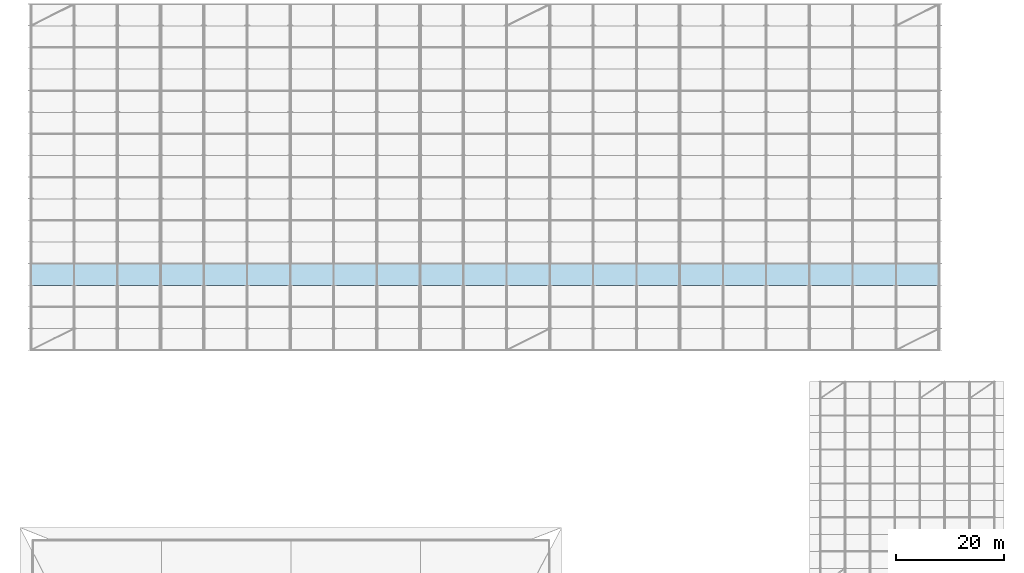
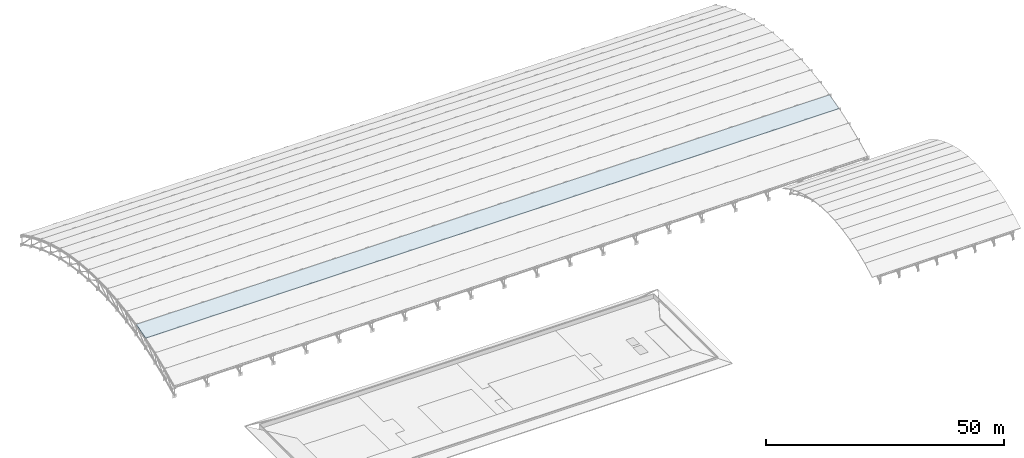
# One storey, part 68 of 98: 1 slab.
"""IFC4 building model written with IfcOpenShell, lengths in metres."""

from ifc_helpers import new_model, si_unit, direction, frame, origin, place, context, subcontext, project, spatial, polyline, outline, extrude, material, layer, layer_set, type_object, element, save


model = new_model("IFC4")

# Units and contexts
model_context = context("Model", 3, precision=1e-05, world=origin(), true_north=direction((0.0, 1.0)))
body_context = subcontext(model_context, "Body", "Model", "MODEL_VIEW")
ifc_project = project(units=[si_unit("LENGTHUNIT", "METRE"), si_unit("AREAUNIT", "SQUARE_METRE"), si_unit("VOLUMEUNIT", "CUBIC_METRE"), si_unit("PLANEANGLEUNIT", "RADIAN"), si_unit("MASSUNIT", "GRAM", prefix="KILO")], contexts=[model_context])

# Site, building, storey
site_placement = place(None, origin())
site = spatial("IfcSite", under=ifc_project, at=site_placement, CompositionType="ELEMENT")
building_placement = place(site_placement, origin())
building = spatial("IfcBuilding", under=site, at=building_placement, Name="Tlacozan Convention Centre", CompositionType="ELEMENT")
storey_placement = place(building_placement, frame((0.0, 0.0, 25.800048828125)))
storey = spatial("IfcBuildingStorey", under=building, at=storey_placement, Name="Roof", CompositionType="ELEMENT", Elevation=25.800048828125)

# Slab
ifc_material = material(Name="Concrete C40/50", Category="concrete")
ifc_layer = layer(ifc_material, 0.179931640625)
ifc_layer_set = layer_set([ifc_layer], Name="Concrete C40/50")
slab_type = type_object("IfcSlabType", Name="Exhibition Arched Roof Deck 180", PredefinedType="ROOF", material=ifc_layer_set)
slab_placement = place(storey_placement, frame((0.0, 74.0, -5.2978515625), z_axis=(0.0, -0.26485005134, 0.964289609145), x_axis=(1.0, 0.0, 0.0)))
element("IfcSlab", 1, at=slab_placement, inside=storey, type_object=slab_type, Name="V2A Arched Roof Facet Slab 4", PredefinedType="ROOF", context=body_context, shape_type="SweptSolid", body=[
    extrude(outline(polyline([(0.0, 0.0), (168.0, 0.0), (168.0, 4.148131393374812), (0.0, 4.148131393374812), (0.0, 0.0)])), origin(), (0.0, 0.0, -1.0), 0.179931640625),
])

save(model, "model.ifc")
